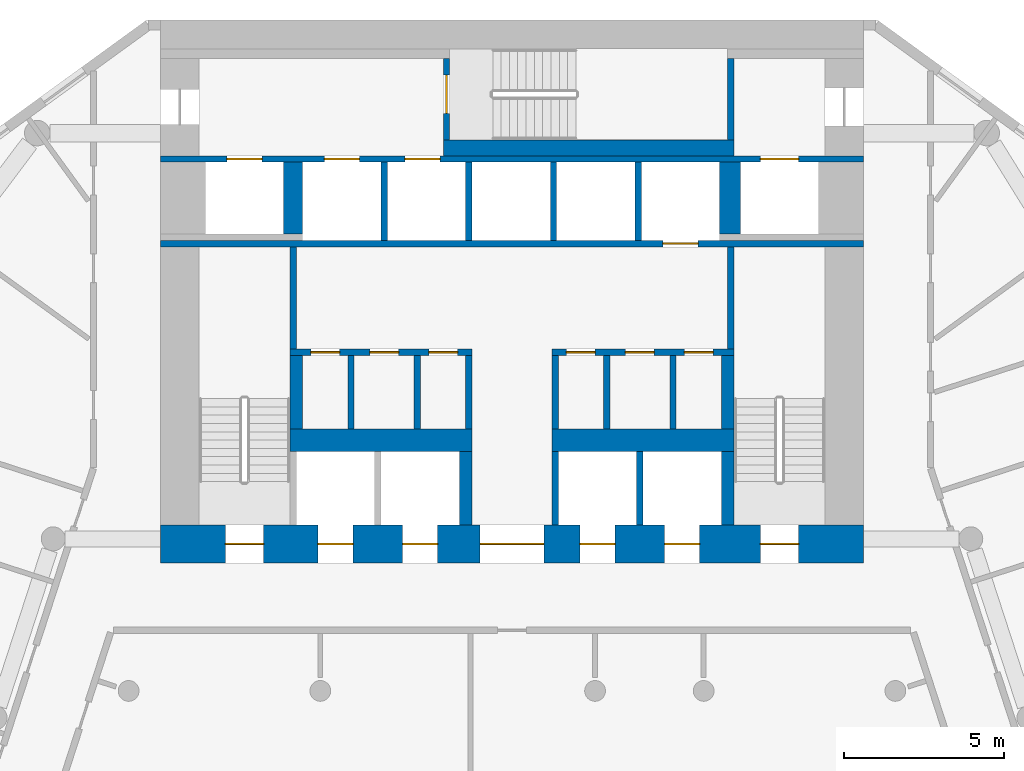
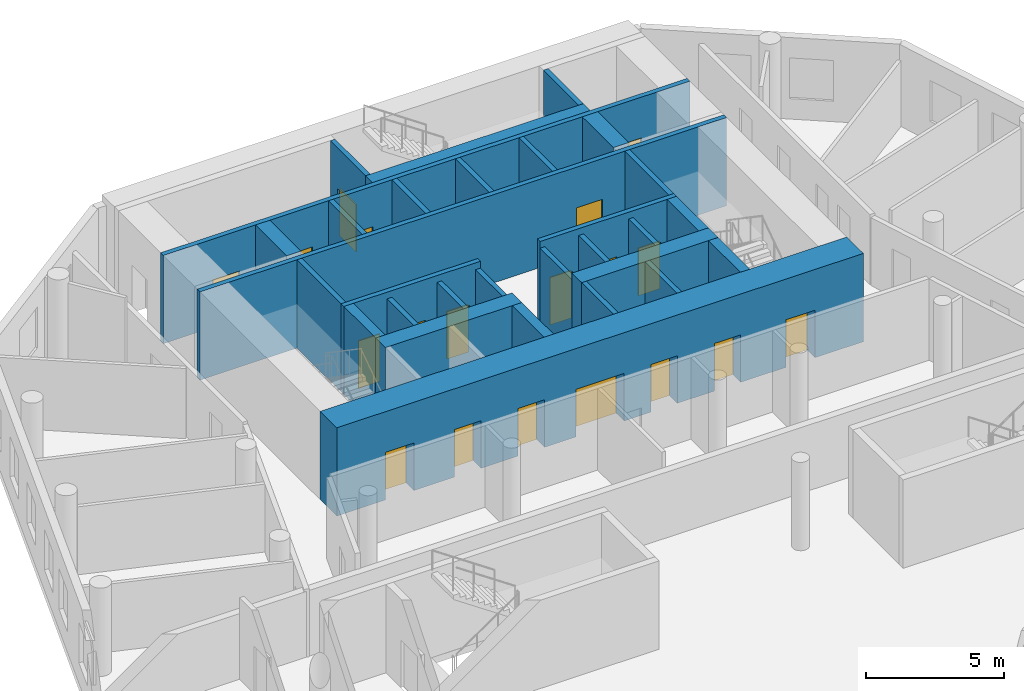
# One storey, part 5 of 9: 30 walls, 19 doors, 19 openings.
"""IFC4 building model written with IfcOpenShell, lengths in metres."""

from ifc_helpers import new_model, si_unit, direction, frame, frame_2d, origin, place, context, subcontext, project, spatial, rectangle, extrude, material, layer, layer_set, type_object, element, fill, save


model = new_model("IFC4")

# Units and contexts
model_context = context("Model", 3, precision=1e-05, world=origin(), true_north=direction((0.0, 1.0)))
body_context = subcontext(model_context, "Body", "Model", "MODEL_VIEW")
ifc_project = project(units=[si_unit("LENGTHUNIT", "METRE"), si_unit("AREAUNIT", "SQUARE_METRE"), si_unit("VOLUMEUNIT", "CUBIC_METRE"), si_unit("PLANEANGLEUNIT", "RADIAN"), si_unit("MASSUNIT", "GRAM", prefix="KILO")], contexts=[model_context])

# Site, building, storey
site_placement = place(None, origin())
site = spatial("IfcSite", under=ifc_project, at=site_placement, CompositionType="ELEMENT")
building_placement = place(site_placement, origin())
building = spatial("IfcBuilding", under=site, at=building_placement, Name="White Candle Pilgrim Tower", CompositionType="ELEMENT")
storey_placement = place(building_placement, frame((0.0, 0.0, 62.39990234375)))
storey = spatial("IfcBuildingStorey", under=building, at=storey_placement, Name="L12", CompositionType="ELEMENT", Elevation=62.39990234375)

# Wall, openings, doors
ifc_material_1 = material(Name="Concrete C70/85", Category="concrete")
ifc_layer_1 = layer(ifc_material_1, 0.199951171875)
ifc_layer_set_1 = layer_set([ifc_layer_1], Name="Core wall 200 mm Concrete C70/85")
wall_type_1 = type_object("IfcWallType", Name="Core wall 200 mm Concrete C70/85", PredefinedType="SHEAR", material=ifc_layer_set_1)
wall_1_placement = place(storey_placement, frame((59.0, 83.64990234375, 0.0), z_axis=(0.0, 0.0, 1.0), x_axis=(1.0, 0.0, 0.0)))
wall_1 = element("IfcWall", 1, at=wall_1_placement, inside=storey, type_object=wall_type_1, Name="WL-L12-C45", PredefinedType="SHEAR", context=body_context, shape_type="SweptSolid", body=[
    extrude(rectangle(XDim=22.0, YDim=0.199951171875, at=frame_2d((11.0, 0.0))), origin(), (0.0, 0.0, 1.0), 3.900146484375),
])
opening_1_placement = place(wall_1_placement, frame((5.125, 0.0, 0.0)))
opening_1 = element("IfcOpeningElement", 2, at=opening_1_placement, cuts=wall_1, Name="Opening T03-011", PredefinedType="OPENING", context=body_context, shape_type="SweptSolid", body=[
    extrude(rectangle(XDim=1.10009765625, YDim=2.10009765625, at=frame_2d((0.550048828125, 1.050048828125))), frame((0.0, 0.10986328125, 0.0), z_axis=(0.0, -1.0, 0.0), x_axis=(1.0, 0.0, 0.0)), (0.0, 0.0, 1.0), 0.219970703125),
])
opening_2_placement = place(wall_1_placement, frame((7.64990234375, 0.0, 0.0)))
opening_2 = element("IfcOpeningElement", 3, at=opening_2_placement, cuts=wall_1, Name="Opening T03-012", PredefinedType="OPENING", context=body_context, shape_type="SweptSolid", body=[
    extrude(rectangle(XDim=1.10009765625, YDim=2.10009765625, at=frame_2d((0.550048828125, 1.050048828125))), frame((0.0, 0.10986328125, 0.0), z_axis=(0.0, -1.0, 0.0), x_axis=(1.0, 0.0, 0.0)), (0.0, 0.0, 1.0), 0.219970703125),
])
opening_3_placement = place(wall_1_placement, frame((18.77490234375, 0.0, 0.0)))
opening_3 = element("IfcOpeningElement", 4, at=opening_3_placement, cuts=wall_1, Name="Opening T03-018", PredefinedType="OPENING", context=body_context, shape_type="SweptSolid", body=[
    extrude(rectangle(XDim=1.199951171875, YDim=2.10009765625, at=frame_2d((0.60009765625, 1.050048828125))), frame((0.0, 0.10986328125, 0.0), z_axis=(0.0, -1.0, 0.0), x_axis=(1.0, 0.0, 0.0)), (0.0, 0.0, 1.0), 0.219970703125),
])
opening_4_placement = place(wall_1_placement, frame((2.074951171875, 0.0, 0.0)))
opening_4 = element("IfcOpeningElement", 5, at=opening_4_placement, cuts=wall_1, Name="Opening T03-019", PredefinedType="OPENING", context=body_context, shape_type="SweptSolid", body=[
    extrude(rectangle(XDim=1.10009765625, YDim=2.10009765625, at=frame_2d((0.550048828125, 1.050048828125))), frame((0.0, 0.10986328125, 0.0), z_axis=(0.0, -1.0, 0.0), x_axis=(1.0, 0.0, 0.0)), (0.0, 0.0, 1.0), 0.219970703125),
])
ifc_material_2 = material(Name="Stainless steel", Category="steel")
door_type_1 = type_object("IfcDoorType", Name="Lift landing door 1100 x 2100 EI 60", OperationType="DOUBLE_DOOR_SLIDING", PredefinedType="DOOR", material=ifc_material_2)
door_1_placement = place(opening_1_placement, origin())
door_1 = element("IfcDoor", 6, at=door_1_placement, inside=storey, type_object=door_type_1, Name="Door T03-011", OperationType="DOUBLE_DOOR_SLIDING", OverallHeight=2.10009765625, OverallWidth=1.10009765625, PredefinedType="DOOR", context=body_context, shape_type="SweptSolid", body=[
    extrude(rectangle(XDim=1.10009765625, YDim=2.10009765625, at=frame_2d((0.550048828125, 1.050048828125))), frame((0.0, 0.02490234375, 0.0), z_axis=(0.0, -1.0, 0.0), x_axis=(1.0, 0.0, 0.0)), (0.0, 0.0, 1.0), 0.050048828125),
])
fill(opening_1, door_1)
door_2_placement = place(opening_2_placement, origin())
door_2 = element("IfcDoor", 7, at=door_2_placement, inside=storey, type_object=door_type_1, Name="Door T03-012", OperationType="DOUBLE_DOOR_SLIDING", OverallHeight=2.10009765625, OverallWidth=1.10009765625, PredefinedType="DOOR", context=body_context, shape_type="SweptSolid", body=[
    extrude(rectangle(XDim=1.10009765625, YDim=2.10009765625, at=frame_2d((0.550048828125, 1.050048828125))), frame((0.0, 0.02490234375, 0.0), z_axis=(0.0, -1.0, 0.0), x_axis=(1.0, 0.0, 0.0)), (0.0, 0.0, 1.0), 0.050048828125),
])
fill(opening_2, door_2)
door_3_placement = place(opening_4_placement, origin())
door_3 = element("IfcDoor", 8, at=door_3_placement, inside=storey, type_object=door_type_1, Name="Door T03-019", OperationType="DOUBLE_DOOR_SLIDING", OverallHeight=2.10009765625, OverallWidth=1.10009765625, PredefinedType="DOOR", context=body_context, shape_type="SweptSolid", body=[
    extrude(rectangle(XDim=1.10009765625, YDim=2.10009765625, at=frame_2d((0.550048828125, 1.050048828125))), frame((0.0, 0.02490234375, 0.0), z_axis=(0.0, -1.0, 0.0), x_axis=(1.0, 0.0, 0.0)), (0.0, 0.0, 1.0), 0.050048828125),
])
fill(opening_4, door_3)
door_type_2 = type_object("IfcDoorType", Name="Lift landing door 1200 x 2100 E 60", OperationType="DOUBLE_DOOR_SLIDING", PredefinedType="DOOR", material=ifc_material_2)
door_4_placement = place(opening_3_placement, origin())
door_4 = element("IfcDoor", 9, at=door_4_placement, inside=storey, type_object=door_type_2, Name="Door T03-018", OperationType="DOUBLE_DOOR_SLIDING", OverallHeight=2.10009765625, OverallWidth=1.199951171875, PredefinedType="DOOR", context=body_context, shape_type="SweptSolid", body=[
    extrude(rectangle(XDim=1.199951171875, YDim=2.10009765625, at=frame_2d((0.60009765625, 1.050048828125))), frame((0.0, 0.02490234375, 0.0), z_axis=(0.0, -1.0, 0.0), x_axis=(1.0, 0.0, 0.0)), (0.0, 0.0, 1.0), 0.050048828125),
])
fill(opening_3, door_4)

# Walls
ifc_material_3 = material(Name="Gypsum board on steel studs", Category="steel")
ifc_layer_2 = layer(ifc_material_3, 0.199951171875)
ifc_layer_set_2 = layer_set([ifc_layer_2], Name="Lobby wall 200 mm EI 60")
wall_type_2 = type_object("IfcWallType", Name="Lobby wall 200 mm EI 60", PredefinedType="PARTITIONING", material=ifc_layer_set_2)
for number, where, z_axis, x_axis, name in (
    (10, (64.9599609375, 75.199951171875, 0.0), (0.0, 0.0, 1.0), (0.0, 1.0, 0.0), "WL-L12-C23"),
    (11, (67.0400390625, 75.199951171875, 0.0), (0.0, 0.0, 1.0), (0.0, 1.0, 0.0), "WL-L12-C24"),
    (12, (68.64990234375, 75.199951171875, 0.0), (0.0, 0.0, 1.0), (0.0, 1.0, 0.0), "WL-L12-C25"),
    (13, (71.35009765625, 75.199951171875, 0.0), (0.0, 0.0, 1.0), (0.0, 1.0, 0.0), "WL-L12-C26"),
    (14, (72.9599609375, 75.199951171875, 0.0), (0.0, 0.0, 1.0), (0.0, 1.0, 0.0), "WL-L12-C27"),
    (15, (75.0400390625, 75.199951171875, 0.0), (0.0, 0.0, 1.0), (0.0, 1.0, 0.0), "WL-L12-C28"),
):
    element("IfcWall", number, at=place(storey_placement, frame(where, z_axis=z_axis, x_axis=x_axis)), inside=storey, type_object=wall_type_2, Name=name, PredefinedType="PARTITIONING", context=body_context, shape_type="SweptSolid", body=[
        extrude(rectangle(XDim=2.300048828125, YDim=0.199951171875, at=frame_2d((1.14990234375, 0.0))), origin(), (0.0, 0.0, 1.0), 3.60009765625),
    ])
ifc_layer_3 = layer(ifc_material_1, 0.199951171875)
ifc_layer_set_3 = layer_set([ifc_layer_3], Name="Shaft wall 200 mm Concrete C70/85")
wall_type_3 = type_object("IfcWallType", Name="Shaft wall 200 mm Concrete C70/85", PredefinedType="SHEAR", material=ifc_layer_set_3)
for number, where, z_axis, x_axis, name in (
    (16, (71.35009765625, 72.199951171875, 0.0), (0.0, 0.0, 1.0), (0.0, 1.0, 0.0), "WL-L12-C16"),
    (17, (74.0, 72.199951171875, 0.0), (0.0, 0.0, 1.0), (0.0, 1.0, 0.0), "WL-L12-C17"),
):
    element("IfcWall", number, at=place(storey_placement, frame(where, z_axis=z_axis, x_axis=x_axis)), inside=storey, type_object=wall_type_3, Name=name, PredefinedType="SHEAR", context=body_context, shape_type="SweptSolid", body=[
        extrude(rectangle(XDim=2.300048828125, YDim=0.199951171875, at=frame_2d((1.14990234375, 0.0))), origin(), (0.0, 0.0, 1.0), 3.900146484375),
    ])
for number, where, z_axis, x_axis, name in (
    (18, (66.0, 81.10009765625, 0.0), (0.0, 0.0, 1.0), (0.0, 1.0, 0.0), "WL-L12-C36"),
    (19, (68.64990234375, 81.10009765625, 0.0), (0.0, 0.0, 1.0), (0.0, 1.0, 0.0), "WL-L12-C37"),
    (20, (71.300048828125, 81.10009765625, 0.0), (0.0, 0.0, 1.0), (0.0, 1.0, 0.0), "WL-L12-C38"),
    (21, (73.949951171875, 81.10009765625, 0.0), (0.0, 0.0, 1.0), (0.0, 1.0, 0.0), "WL-L12-C39"),
):
    element("IfcWall", number, at=place(storey_placement, frame(where, z_axis=z_axis, x_axis=x_axis)), inside=storey, type_object=wall_type_3, Name=name, PredefinedType="SHEAR", context=body_context, shape_type="SweptSolid", body=[
        extrude(rectangle(XDim=2.449951171875, YDim=0.199951171875, at=frame_2d((1.22509765625, 0.0))), origin(), (0.0, 0.0, 1.0), 3.900146484375),
    ])
ifc_layer_4 = layer(ifc_material_1, 0.39990234375)
ifc_layer_set_4 = layer_set([ifc_layer_4], Name="Shaft wall 400 mm Concrete C70/85")
wall_type_4 = type_object("IfcWallType", Name="Shaft wall 400 mm Concrete C70/85", PredefinedType="SHEAR", material=ifc_layer_set_4)
wall_2_placement = place(storey_placement, frame((68.550048828125, 72.199951171875, 0.0), z_axis=(0.0, 0.0, 1.0), x_axis=(0.0, 1.0, 0.0)))
element("IfcWall", 22, at=wall_2_placement, inside=storey, type_object=wall_type_4, Name="WL-L12-C15", PredefinedType="SHEAR", context=body_context, shape_type="SweptSolid", body=[
    extrude(rectangle(XDim=2.300048828125, YDim=0.39990234375, at=frame_2d((1.14990234375, 0.0))), origin(), (0.0, 0.0, 1.0), 3.900146484375),
])
ifc_layer_5 = layer(ifc_material_1, 0.60009765625)
ifc_layer_set_5 = layer_set([ifc_layer_5], Name="Shaft wall 600 mm Concrete C70/85")
wall_type_5 = type_object("IfcWallType", Name="Shaft wall 600 mm Concrete C70/85", PredefinedType="SHEAR", material=ifc_layer_set_5)
wall_3_placement = place(storey_placement, frame((63.14990234375, 81.300048828125, 0.0), z_axis=(0.0, 0.0, 1.0), x_axis=(0.0, 1.0, 0.0)))
element("IfcWall", 23, at=wall_3_placement, inside=storey, type_object=wall_type_5, Name="WL-L12-C42", PredefinedType="SHEAR", context=body_context, shape_type="SweptSolid", body=[
    extrude(rectangle(XDim=2.25, YDim=0.60009765625, at=frame_2d((1.125, 0.0))), origin(), (0.0, 0.0, 1.0), 3.900146484375),
])
ifc_layer_6 = layer(ifc_material_1, 0.64990234375)
ifc_layer_set_6 = layer_set([ifc_layer_6], Name="Shaft wall 650 mm Concrete C70/85")
wall_type_6 = type_object("IfcWallType", Name="Shaft wall 650 mm Concrete C70/85", PredefinedType="SHEAR", material=ifc_layer_set_6)
wall_4_placement = place(storey_placement, frame((76.824951171875, 81.300048828125, 0.0), z_axis=(0.0, 0.0, 1.0), x_axis=(0.0, 1.0, 0.0)))
element("IfcWall", 24, at=wall_4_placement, inside=storey, type_object=wall_type_6, Name="WL-L12-C43", PredefinedType="SHEAR", context=body_context, shape_type="SweptSolid", body=[
    extrude(rectangle(XDim=2.25, YDim=0.64990234375, at=frame_2d((1.125, 0.0))), origin(), (0.0, 0.0, 1.0), 3.900146484375),
])

# Wall, openings, doors
ifc_layer_7 = layer(ifc_material_1, 1.199951171875)
ifc_layer_set_7 = layer_set([ifc_layer_7], Name="Stair shaft wall 1200 mm Concrete C70/85")
wall_type_7 = type_object("IfcWallType", Name="Stair shaft wall 1200 mm Concrete C70/85", PredefinedType="SHEAR", material=ifc_layer_set_7)
wall_5_placement = place(storey_placement, frame((59.0, 71.60009765625, 0.0), z_axis=(0.0, 0.0, 1.0), x_axis=(1.0, 0.0, 0.0)))
wall_5 = element("IfcWall", 25, at=wall_5_placement, inside=storey, type_object=wall_type_7, Name="WL-L12-C11", PredefinedType="SHEAR", context=body_context, shape_type="SweptSolid", body=[
    extrude(rectangle(XDim=22.0, YDim=1.199951171875, at=frame_2d((11.0, 0.0))), origin(), (0.0, 0.0, 1.0), 3.900146484375),
])
opening_5_placement = place(wall_5_placement, frame((2.02490234375, 0.0, 0.0)))
opening_5 = element("IfcOpeningElement", 26, at=opening_5_placement, cuts=wall_5, Name="Opening T03-001", PredefinedType="OPENING", context=body_context, shape_type="SweptSolid", body=[
    extrude(rectangle(XDim=1.199951171875, YDim=2.10009765625, at=frame_2d((0.60009765625, 1.050048828125))), frame((0.0, 0.60986328125, 0.0), z_axis=(0.0, -1.0, 0.0), x_axis=(1.0, 0.0, 0.0)), (0.0, 0.0, 1.0), 1.219970703125),
])
opening_6_placement = place(wall_5_placement, frame((18.77490234375, 0.0, 0.0)))
opening_6 = element("IfcOpeningElement", 27, at=opening_6_placement, cuts=wall_5, Name="Opening T03-002", PredefinedType="OPENING", context=body_context, shape_type="SweptSolid", body=[
    extrude(rectangle(XDim=1.199951171875, YDim=2.10009765625, at=frame_2d((0.60009765625, 1.050048828125))), frame((0.0, 0.60986328125, 0.0), z_axis=(0.0, -1.0, 0.0), x_axis=(1.0, 0.0, 0.0)), (0.0, 0.0, 1.0), 1.219970703125),
])
opening_7_placement = place(wall_5_placement, frame((10.0, 0.0, 0.0)))
opening_7 = element("IfcOpeningElement", 28, at=opening_7_placement, cuts=wall_5, Name="Opening T03-004", PredefinedType="OPENING", context=body_context, shape_type="SweptSolid", body=[
    extrude(rectangle(XDim=2.0, YDim=2.10009765625, at=frame_2d((1.0, 1.050048828125))), frame((0.0, 0.60986328125, 0.0), z_axis=(0.0, -1.0, 0.0), x_axis=(1.0, 0.0, 0.0)), (0.0, 0.0, 1.0), 1.219970703125),
])
opening_8_placement = place(wall_5_placement, frame((4.925048828125, 0.0, 0.0)))
opening_8 = element("IfcOpeningElement", 29, at=opening_8_placement, cuts=wall_5, Name="Opening T03-014", PredefinedType="OPENING", context=body_context, shape_type="SweptSolid", body=[
    extrude(rectangle(XDim=1.10009765625, YDim=2.10009765625, at=frame_2d((0.550048828125, 1.050048828125))), frame((0.0, 0.60986328125, 0.0), z_axis=(0.0, -1.0, 0.0), x_axis=(1.0, 0.0, 0.0)), (0.0, 0.0, 1.0), 1.219970703125),
])
opening_9_placement = place(wall_5_placement, frame((7.574951171875, 0.0, 0.0)))
opening_9 = element("IfcOpeningElement", 30, at=opening_9_placement, cuts=wall_5, Name="Opening T03-015", PredefinedType="OPENING", context=body_context, shape_type="SweptSolid", body=[
    extrude(rectangle(XDim=1.10009765625, YDim=2.10009765625, at=frame_2d((0.550048828125, 1.050048828125))), frame((0.0, 0.60986328125, 0.0), z_axis=(0.0, -1.0, 0.0), x_axis=(1.0, 0.0, 0.0)), (0.0, 0.0, 1.0), 1.219970703125),
])
opening_10_placement = place(wall_5_placement, frame((13.125, 0.0, 0.0)))
opening_10 = element("IfcOpeningElement", 31, at=opening_10_placement, cuts=wall_5, Name="Opening T03-016", PredefinedType="OPENING", context=body_context, shape_type="SweptSolid", body=[
    extrude(rectangle(XDim=1.10009765625, YDim=2.10009765625, at=frame_2d((0.550048828125, 1.050048828125))), frame((0.0, 0.60986328125, 0.0), z_axis=(0.0, -1.0, 0.0), x_axis=(1.0, 0.0, 0.0)), (0.0, 0.0, 1.0), 1.219970703125),
])
opening_11_placement = place(wall_5_placement, frame((15.77490234375, 0.0, 0.0)))
opening_11 = element("IfcOpeningElement", 32, at=opening_11_placement, cuts=wall_5, Name="Opening T03-017", PredefinedType="OPENING", context=body_context, shape_type="SweptSolid", body=[
    extrude(rectangle(XDim=1.10009765625, YDim=2.10009765625, at=frame_2d((0.550048828125, 1.050048828125))), frame((0.0, 0.60986328125, 0.0), z_axis=(0.0, -1.0, 0.0), x_axis=(1.0, 0.0, 0.0)), (0.0, 0.0, 1.0), 1.219970703125),
])
ifc_material_4 = material(Name="Steel door leaf", Category="steel")
door_type_3 = type_object("IfcDoorType", Name="Fire door 1200 x 2100 EI 60", OperationType="NOTDEFINED", PredefinedType="DOOR", material=ifc_material_4)
door_5_placement = place(opening_5_placement, frame((1.199951171875, 0.0, 0.0), z_axis=(0.0, 0.0, 1.0), x_axis=(-1.0, 0.0, 0.0)))
door_5 = element("IfcDoor", 33, at=door_5_placement, inside=storey, type_object=door_type_3, Name="Door T03-001", OperationType="SINGLE_SWING_RIGHT", OverallHeight=2.10009765625, OverallWidth=1.199951171875, PredefinedType="DOOR", context=body_context, shape_type="SweptSolid", body=[
    extrude(rectangle(XDim=1.199951171875, YDim=2.10009765625, at=frame_2d((0.60009765625, 1.050048828125))), frame((0.0, 0.02490234375, 0.0), z_axis=(0.0, -1.0, 0.0), x_axis=(1.0, 0.0, 0.0)), (0.0, 0.0, 1.0), 0.050048828125),
])
fill(opening_5, door_5)
door_6_placement = place(opening_6_placement, frame((1.199951171875, 0.0, 0.0), z_axis=(0.0, 0.0, 1.0), x_axis=(-1.0, 0.0, 0.0)))
door_6 = element("IfcDoor", 34, at=door_6_placement, inside=storey, type_object=door_type_3, Name="Door T03-002", OperationType="SINGLE_SWING_LEFT", OverallHeight=2.10009765625, OverallWidth=1.199951171875, PredefinedType="DOOR", context=body_context, shape_type="SweptSolid", body=[
    extrude(rectangle(XDim=1.199951171875, YDim=2.10009765625, at=frame_2d((0.60009765625, 1.050048828125))), frame((0.0, 0.02490234375, 0.0), z_axis=(0.0, -1.0, 0.0), x_axis=(1.0, 0.0, 0.0)), (0.0, 0.0, 1.0), 0.050048828125),
])
fill(opening_6, door_6)
door_type_4 = type_object("IfcDoorType", Name="Fire door 2000 x 2100 EI 60", OperationType="NOTDEFINED", PredefinedType="DOOR", material=ifc_material_4)
door_7_placement = place(opening_7_placement, frame((2.0, 0.0, 0.0), z_axis=(0.0, 0.0, 1.0), x_axis=(-1.0, 0.0, 0.0)))
door_7 = element("IfcDoor", 35, at=door_7_placement, inside=storey, type_object=door_type_4, Name="Door T03-004", OperationType="DOUBLE_DOOR_SINGLE_SWING", OverallHeight=2.10009765625, OverallWidth=2.0, PredefinedType="DOOR", context=body_context, shape_type="SweptSolid", body=[
    extrude(rectangle(XDim=2.0, YDim=2.10009765625, at=frame_2d((1.0, 1.050048828125))), frame((0.0, 0.02490234375, 0.0), z_axis=(0.0, -1.0, 0.0), x_axis=(1.0, 0.0, 0.0)), (0.0, 0.0, 1.0), 0.050048828125),
])
fill(opening_7, door_7)
door_type_5 = type_object("IfcDoorType", Name="Lift landing door 1100 x 2100 E 60", OperationType="DOUBLE_DOOR_SLIDING", PredefinedType="DOOR", material=ifc_material_2)
door_8_placement = place(opening_8_placement, origin())
door_8 = element("IfcDoor", 36, at=door_8_placement, inside=storey, type_object=door_type_5, Name="Door T03-014", OperationType="DOUBLE_DOOR_SLIDING", OverallHeight=2.10009765625, OverallWidth=1.10009765625, PredefinedType="DOOR", context=body_context, shape_type="SweptSolid", body=[
    extrude(rectangle(XDim=1.10009765625, YDim=2.10009765625, at=frame_2d((0.550048828125, 1.050048828125))), frame((0.0, 0.02490234375, 0.0), z_axis=(0.0, -1.0, 0.0), x_axis=(1.0, 0.0, 0.0)), (0.0, 0.0, 1.0), 0.050048828125),
])
fill(opening_8, door_8)
door_9_placement = place(opening_9_placement, origin())
door_9 = element("IfcDoor", 37, at=door_9_placement, inside=storey, type_object=door_type_5, Name="Door T03-015", OperationType="DOUBLE_DOOR_SLIDING", OverallHeight=2.10009765625, OverallWidth=1.10009765625, PredefinedType="DOOR", context=body_context, shape_type="SweptSolid", body=[
    extrude(rectangle(XDim=1.10009765625, YDim=2.10009765625, at=frame_2d((0.550048828125, 1.050048828125))), frame((0.0, 0.02490234375, 0.0), z_axis=(0.0, -1.0, 0.0), x_axis=(1.0, 0.0, 0.0)), (0.0, 0.0, 1.0), 0.050048828125),
])
fill(opening_9, door_9)
door_10_placement = place(opening_10_placement, origin())
door_10 = element("IfcDoor", 38, at=door_10_placement, inside=storey, type_object=door_type_5, Name="Door T03-016", OperationType="DOUBLE_DOOR_SLIDING", OverallHeight=2.10009765625, OverallWidth=1.10009765625, PredefinedType="DOOR", context=body_context, shape_type="SweptSolid", body=[
    extrude(rectangle(XDim=1.10009765625, YDim=2.10009765625, at=frame_2d((0.550048828125, 1.050048828125))), frame((0.0, 0.02490234375, 0.0), z_axis=(0.0, -1.0, 0.0), x_axis=(1.0, 0.0, 0.0)), (0.0, 0.0, 1.0), 0.050048828125),
])
fill(opening_10, door_10)
door_11_placement = place(opening_11_placement, origin())
door_11 = element("IfcDoor", 39, at=door_11_placement, inside=storey, type_object=door_type_5, Name="Door T03-017", OperationType="DOUBLE_DOOR_SLIDING", OverallHeight=2.10009765625, OverallWidth=1.10009765625, PredefinedType="DOOR", context=body_context, shape_type="SweptSolid", body=[
    extrude(rectangle(XDim=1.10009765625, YDim=2.10009765625, at=frame_2d((0.550048828125, 1.050048828125))), frame((0.0, 0.02490234375, 0.0), z_axis=(0.0, -1.0, 0.0), x_axis=(1.0, 0.0, 0.0)), (0.0, 0.0, 1.0), 0.050048828125),
])
fill(opening_11, door_11)

ifc_layer_8 = layer(ifc_material_1, 0.199951171875)
ifc_layer_set_8 = layer_set([ifc_layer_8], Name="Stair shaft wall 200 mm Concrete C70/85")
wall_type_8 = type_object("IfcWallType", Name="Stair shaft wall 200 mm Concrete C70/85", PredefinedType="SHEAR", material=ifc_layer_set_8)
wall_6_placement = place(storey_placement, frame((63.050048828125, 77.60009765625, 0.0), z_axis=(0.0, 0.0, 1.0), x_axis=(1.0, 0.0, 0.0)))
wall_6 = element("IfcWall", 40, at=wall_6_placement, inside=storey, type_object=wall_type_8, Name="WL-L12-C30", PredefinedType="SHEAR", context=body_context, shape_type="SweptSolid", body=[
    extrude(rectangle(XDim=5.699951171875, YDim=0.199951171875, at=frame_2d((2.85009765625, 0.0))), origin(), (0.0, 0.0, 1.0), 3.900146484375),
])
opening_12_placement = place(wall_6_placement, frame((0.655029296875, 0.0, 0.0)))
opening_12 = element("IfcOpeningElement", 41, at=opening_12_placement, cuts=wall_6, Name="Opening T03-020", PredefinedType="OPENING", context=body_context, shape_type="SweptSolid", body=[
    extrude(rectangle(XDim=0.89990234375, YDim=2.10009765625, at=frame_2d((0.449951171875, 1.050048828125))), frame((0.0, 0.10986328125, 0.0), z_axis=(0.0, -1.0, 0.0), x_axis=(1.0, 0.0, 0.0)), (0.0, 0.0, 1.0), 0.219970703125),
])
opening_13_placement = place(wall_6_placement, frame((2.5, 0.0, 0.0)))
opening_13 = element("IfcOpeningElement", 42, at=opening_13_placement, cuts=wall_6, Name="Opening T03-021", PredefinedType="OPENING", context=body_context, shape_type="SweptSolid", body=[
    extrude(rectangle(XDim=0.89990234375, YDim=2.10009765625, at=frame_2d((0.449951171875, 1.050048828125))), frame((0.0, 0.10986328125, 0.0), z_axis=(0.0, -1.0, 0.0), x_axis=(1.0, 0.0, 0.0)), (0.0, 0.0, 1.0), 0.219970703125),
])
opening_14_placement = place(wall_6_placement, frame((4.344970703125, 0.0, 0.0)))
opening_14 = element("IfcOpeningElement", 43, at=opening_14_placement, cuts=wall_6, Name="Opening T03-022", PredefinedType="OPENING", context=body_context, shape_type="SweptSolid", body=[
    extrude(rectangle(XDim=0.89990234375, YDim=2.10009765625, at=frame_2d((0.449951171875, 1.050048828125))), frame((0.0, 0.10986328125, 0.0), z_axis=(0.0, -1.0, 0.0), x_axis=(1.0, 0.0, 0.0)), (0.0, 0.0, 1.0), 0.219970703125),
])
door_type_6 = type_object("IfcDoorType", Name="Fire door 900 x 2100 EI 30", OperationType="NOTDEFINED", PredefinedType="DOOR", material=ifc_material_4)
door_12_placement = place(opening_12_placement, origin())
door_12 = element("IfcDoor", 44, at=door_12_placement, inside=storey, type_object=door_type_6, Name="Door T03-020", OperationType="SINGLE_SWING_RIGHT", OverallHeight=2.10009765625, OverallWidth=0.89990234375, PredefinedType="DOOR", context=body_context, shape_type="SweptSolid", body=[
    extrude(rectangle(XDim=0.89990234375, YDim=2.10009765625, at=frame_2d((0.449951171875, 1.050048828125))), frame((0.0, 0.02490234375, 0.0), z_axis=(0.0, -1.0, 0.0), x_axis=(1.0, 0.0, 0.0)), (0.0, 0.0, 1.0), 0.050048828125),
])
fill(opening_12, door_12)
door_13_placement = place(opening_13_placement, origin())
door_13 = element("IfcDoor", 45, at=door_13_placement, inside=storey, type_object=door_type_6, Name="Door T03-021", OperationType="SINGLE_SWING_LEFT", OverallHeight=2.10009765625, OverallWidth=0.89990234375, PredefinedType="DOOR", context=body_context, shape_type="SweptSolid", body=[
    extrude(rectangle(XDim=0.89990234375, YDim=2.10009765625, at=frame_2d((0.449951171875, 1.050048828125))), frame((0.0, 0.02490234375, 0.0), z_axis=(0.0, -1.0, 0.0), x_axis=(1.0, 0.0, 0.0)), (0.0, 0.0, 1.0), 0.050048828125),
])
fill(opening_13, door_13)
door_14_placement = place(opening_14_placement, origin())
door_14 = element("IfcDoor", 46, at=door_14_placement, inside=storey, type_object=door_type_6, Name="Door T03-022", OperationType="SINGLE_SWING_RIGHT", OverallHeight=2.10009765625, OverallWidth=0.89990234375, PredefinedType="DOOR", context=body_context, shape_type="SweptSolid", body=[
    extrude(rectangle(XDim=0.89990234375, YDim=2.10009765625, at=frame_2d((0.449951171875, 1.050048828125))), frame((0.0, 0.02490234375, 0.0), z_axis=(0.0, -1.0, 0.0), x_axis=(1.0, 0.0, 0.0)), (0.0, 0.0, 1.0), 0.050048828125),
])
fill(opening_14, door_14)

wall_7_placement = place(storey_placement, frame((71.25, 77.60009765625, 0.0), z_axis=(0.0, 0.0, 1.0), x_axis=(1.0, 0.0, 0.0)))
wall_7 = element("IfcWall", 47, at=wall_7_placement, inside=storey, type_object=wall_type_8, Name="WL-L12-C31", PredefinedType="SHEAR", context=body_context, shape_type="SweptSolid", body=[
    extrude(rectangle(XDim=5.699951171875, YDim=0.199951171875, at=frame_2d((2.85009765625, 0.0))), origin(), (0.0, 0.0, 1.0), 3.900146484375),
])
opening_15_placement = place(wall_7_placement, frame((0.455078125, 0.0, 0.0)))
opening_15 = element("IfcOpeningElement", 48, at=opening_15_placement, cuts=wall_7, Name="Opening T03-023", PredefinedType="OPENING", context=body_context, shape_type="SweptSolid", body=[
    extrude(rectangle(XDim=0.89990234375, YDim=2.10009765625, at=frame_2d((0.449951171875, 1.050048828125))), frame((0.0, 0.10986328125, 0.0), z_axis=(0.0, -1.0, 0.0), x_axis=(1.0, 0.0, 0.0)), (0.0, 0.0, 1.0), 0.219970703125),
])
opening_16_placement = place(wall_7_placement, frame((2.300048828125, 0.0, 0.0)))
opening_16 = element("IfcOpeningElement", 49, at=opening_16_placement, cuts=wall_7, Name="Opening T03-024", PredefinedType="OPENING", context=body_context, shape_type="SweptSolid", body=[
    extrude(rectangle(XDim=0.89990234375, YDim=2.10009765625, at=frame_2d((0.449951171875, 1.050048828125))), frame((0.0, 0.10986328125, 0.0), z_axis=(0.0, -1.0, 0.0), x_axis=(1.0, 0.0, 0.0)), (0.0, 0.0, 1.0), 0.219970703125),
])
opening_17_placement = place(wall_7_placement, frame((4.14501953125, 0.0, 0.0)))
opening_17 = element("IfcOpeningElement", 50, at=opening_17_placement, cuts=wall_7, Name="Opening T03-025", PredefinedType="OPENING", context=body_context, shape_type="SweptSolid", body=[
    extrude(rectangle(XDim=0.89990234375, YDim=2.10009765625, at=frame_2d((0.449951171875, 1.050048828125))), frame((0.0, 0.10986328125, 0.0), z_axis=(0.0, -1.0, 0.0), x_axis=(1.0, 0.0, 0.0)), (0.0, 0.0, 1.0), 0.219970703125),
])
door_15_placement = place(opening_15_placement, origin())
door_15 = element("IfcDoor", 51, at=door_15_placement, inside=storey, type_object=door_type_6, Name="Door T03-023", OperationType="SINGLE_SWING_LEFT", OverallHeight=2.10009765625, OverallWidth=0.89990234375, PredefinedType="DOOR", context=body_context, shape_type="SweptSolid", body=[
    extrude(rectangle(XDim=0.89990234375, YDim=2.10009765625, at=frame_2d((0.449951171875, 1.050048828125))), frame((0.0, 0.02490234375, 0.0), z_axis=(0.0, -1.0, 0.0), x_axis=(1.0, 0.0, 0.0)), (0.0, 0.0, 1.0), 0.050048828125),
])
fill(opening_15, door_15)
door_16_placement = place(opening_16_placement, origin())
door_16 = element("IfcDoor", 52, at=door_16_placement, inside=storey, type_object=door_type_6, Name="Door T03-024", OperationType="SINGLE_SWING_RIGHT", OverallHeight=2.10009765625, OverallWidth=0.89990234375, PredefinedType="DOOR", context=body_context, shape_type="SweptSolid", body=[
    extrude(rectangle(XDim=0.89990234375, YDim=2.10009765625, at=frame_2d((0.449951171875, 1.050048828125))), frame((0.0, 0.02490234375, 0.0), z_axis=(0.0, -1.0, 0.0), x_axis=(1.0, 0.0, 0.0)), (0.0, 0.0, 1.0), 0.050048828125),
])
fill(opening_16, door_16)
door_17_placement = place(opening_17_placement, origin())
door_17 = element("IfcDoor", 53, at=door_17_placement, inside=storey, type_object=door_type_6, Name="Door T03-025", OperationType="SINGLE_SWING_LEFT", OverallHeight=2.10009765625, OverallWidth=0.89990234375, PredefinedType="DOOR", context=body_context, shape_type="SweptSolid", body=[
    extrude(rectangle(XDim=0.89990234375, YDim=2.10009765625, at=frame_2d((0.449951171875, 1.050048828125))), frame((0.0, 0.02490234375, 0.0), z_axis=(0.0, -1.0, 0.0), x_axis=(1.0, 0.0, 0.0)), (0.0, 0.0, 1.0), 0.050048828125),
])
fill(opening_17, door_17)

# Walls
for number, where, z_axis, x_axis, name in (
    (54, (63.14990234375, 77.699951171875, 0.0), (0.0, 0.0, 1.0), (0.0, 1.0, 0.0), "WL-L12-C32"),
    (55, (76.85009765625, 77.699951171875, 0.0), (0.0, 0.0, 1.0), (0.0, 1.0, 0.0), "WL-L12-C33"),
):
    element("IfcWall", number, at=place(storey_placement, frame(where, z_axis=z_axis, x_axis=x_axis)), inside=storey, type_object=wall_type_8, Name=name, PredefinedType="SHEAR", context=body_context, shape_type="SweptSolid", body=[
        extrude(rectangle(XDim=3.199951171875, YDim=0.199951171875, at=frame_2d((1.60009765625, 0.0))), origin(), (0.0, 0.0, 1.0), 3.900146484375),
    ])

# Wall, opening, door
wall_8_placement = place(storey_placement, frame((59.0, 81.0, 0.0), z_axis=(0.0, 0.0, 1.0), x_axis=(1.0, 0.0, 0.0)))
wall_8 = element("IfcWall", 56, at=wall_8_placement, inside=storey, type_object=wall_type_8, Name="WL-L12-C34", PredefinedType="SHEAR", context=body_context, shape_type="SweptSolid", body=[
    extrude(rectangle(XDim=22.0, YDim=0.199951171875, at=frame_2d((11.0, 0.0))), origin(), (0.0, 0.0, 1.0), 3.900146484375),
])
opening_18_placement = place(wall_8_placement, frame((15.72509765625, 0.0, 0.0)))
opening_18 = element("IfcOpeningElement", 57, at=opening_18_placement, cuts=wall_8, Name="Opening T03-013", PredefinedType="OPENING", context=body_context, shape_type="SweptSolid", body=[
    extrude(rectangle(XDim=1.10009765625, YDim=2.10009765625, at=frame_2d((0.550048828125, 1.050048828125))), frame((0.0, 0.10986328125, 0.0), z_axis=(0.0, -1.0, 0.0), x_axis=(1.0, 0.0, 0.0)), (0.0, 0.0, 1.0), 0.219970703125),
])
door_18_placement = place(opening_18_placement, origin())
door_18 = element("IfcDoor", 58, at=door_18_placement, inside=storey, type_object=door_type_5, Name="Door T03-013", OperationType="DOUBLE_DOOR_SLIDING", OverallHeight=2.10009765625, OverallWidth=1.10009765625, PredefinedType="DOOR", context=body_context, shape_type="SweptSolid", body=[
    extrude(rectangle(XDim=1.10009765625, YDim=2.10009765625, at=frame_2d((0.550048828125, 1.050048828125))), frame((0.0, 0.02490234375, 0.0), z_axis=(0.0, -1.0, 0.0), x_axis=(1.0, 0.0, 0.0)), (0.0, 0.0, 1.0), 0.050048828125),
])
fill(opening_18, door_18)

wall_9_placement = place(storey_placement, frame((67.949951171875, 84.25, 0.0), z_axis=(0.0, 0.0, 1.0), x_axis=(0.0, 1.0, 0.0)))
wall_9 = element("IfcWall", 59, at=wall_9_placement, inside=storey, type_object=wall_type_8, Name="WL-L12-C49", PredefinedType="SHEAR", context=body_context, shape_type="SweptSolid", body=[
    extrude(rectangle(XDim=2.550048828125, YDim=0.199951171875, at=frame_2d((1.27490234375, 0.0))), origin(), (0.0, 0.0, 1.0), 3.900146484375),
])
opening_19_placement = place(wall_9_placement, frame((0.824951171875, 0.0, 0.0)))
opening_19 = element("IfcOpeningElement", 60, at=opening_19_placement, cuts=wall_9, Name="Opening T03-003", PredefinedType="OPENING", context=body_context, shape_type="SweptSolid", body=[
    extrude(rectangle(XDim=1.199951171875, YDim=2.10009765625, at=frame_2d((0.60009765625, 1.050048828125))), frame((0.0, 0.10986328125, 0.0), z_axis=(0.0, -1.0, 0.0), x_axis=(1.0, 0.0, 0.0)), (0.0, 0.0, 1.0), 0.219970703125),
])
door_19_placement = place(opening_19_placement, frame((1.199951171875, 0.0, 0.0), z_axis=(0.0, 0.0, 1.0), x_axis=(-1.0, 0.0, 0.0)))
door_19 = element("IfcDoor", 61, at=door_19_placement, inside=storey, type_object=door_type_3, Name="Door T03-003", OperationType="SINGLE_SWING_RIGHT", OverallHeight=2.10009765625, OverallWidth=1.199951171875, PredefinedType="DOOR", context=body_context, shape_type="SweptSolid", body=[
    extrude(rectangle(XDim=1.199951171875, YDim=2.10009765625, at=frame_2d((0.60009765625, 1.050048828125))), frame((0.0, 0.02490234375, 0.0), z_axis=(0.0, -1.0, 0.0), x_axis=(1.0, 0.0, 0.0)), (0.0, 0.0, 1.0), 0.050048828125),
])
fill(opening_19, door_19)

# Walls
wall_10_placement = place(storey_placement, frame((76.85009765625, 84.25, 0.0), z_axis=(0.0, 0.0, 1.0), x_axis=(0.0, 1.0, 0.0)))
element("IfcWall", 62, at=wall_10_placement, inside=storey, type_object=wall_type_8, Name="WL-L12-C50", PredefinedType="SHEAR", context=body_context, shape_type="SweptSolid", body=[
    extrude(rectangle(XDim=2.550048828125, YDim=0.199951171875, at=frame_2d((1.27490234375, 0.0))), origin(), (0.0, 0.0, 1.0), 3.900146484375),
])
ifc_layer_9 = layer(ifc_material_1, 0.39990234375)
ifc_layer_set_9 = layer_set([ifc_layer_9], Name="Stair shaft wall 400 mm Concrete C70/85")
wall_type_9 = type_object("IfcWallType", Name="Stair shaft wall 400 mm Concrete C70/85", PredefinedType="SHEAR", material=ifc_layer_set_9)
for number, where, z_axis, x_axis, name in (
    (63, (76.75, 72.199951171875, 0.0), (0.0, 0.0, 1.0), (0.0, 1.0, 0.0), "WL-L12-C18"),
    (64, (63.25, 75.199951171875, 0.0), (0.0, 0.0, 1.0), (0.0, 1.0, 0.0), "WL-L12-C22"),
    (65, (76.75, 75.199951171875, 0.0), (0.0, 0.0, 1.0), (0.0, 1.0, 0.0), "WL-L12-C29"),
):
    element("IfcWall", number, at=place(storey_placement, frame(where, z_axis=z_axis, x_axis=x_axis)), inside=storey, type_object=wall_type_9, Name=name, PredefinedType="SHEAR", context=body_context, shape_type="SweptSolid", body=[
        extrude(rectangle(XDim=2.300048828125, YDim=0.39990234375, at=frame_2d((1.14990234375, 0.0))), origin(), (0.0, 0.0, 1.0), 3.900146484375),
    ])
ifc_layer_10 = layer(ifc_material_1, 0.5)
ifc_layer_set_10 = layer_set([ifc_layer_10], Name="Stair shaft wall 500 mm Concrete C70/85")
wall_type_10 = type_object("IfcWallType", Name="Stair shaft wall 500 mm Concrete C70/85", PredefinedType="SHEAR", material=ifc_layer_set_10)
wall_11_placement = place(storey_placement, frame((67.85009765625, 84.0, 0.0), z_axis=(0.0, 0.0, 1.0), x_axis=(1.0, 0.0, 0.0)))
element("IfcWall", 66, at=wall_11_placement, inside=storey, type_object=wall_type_10, Name="WL-L12-C47", PredefinedType="SHEAR", context=body_context, shape_type="SweptSolid", body=[
    extrude(rectangle(XDim=9.099853515625, YDim=0.5, at=frame_2d((4.5498046875, 0.0))), origin(), (0.0, 0.0, 1.0), 3.900146484375),
])
ifc_layer_11 = layer(ifc_material_1, 0.699951171875)
ifc_layer_set_11 = layer_set([ifc_layer_11], Name="Stair shaft wall 700 mm Concrete C70/85")
wall_type_11 = type_object("IfcWallType", Name="Stair shaft wall 700 mm Concrete C70/85", PredefinedType="SHEAR", material=ifc_layer_set_11)
for number, where, z_axis, x_axis, name in (
    (67, (63.050048828125, 74.85009765625, 0.0), (0.0, 0.0, 1.0), (1.0, 0.0, 0.0), "WL-L12-C20"),
    (68, (71.25, 74.85009765625, 0.0), (0.0, 0.0, 1.0), (1.0, 0.0, 0.0), "WL-L12-C21"),
):
    element("IfcWall", number, at=place(storey_placement, frame(where, z_axis=z_axis, x_axis=x_axis)), inside=storey, type_object=wall_type_11, Name=name, PredefinedType="SHEAR", context=body_context, shape_type="SweptSolid", body=[
        extrude(rectangle(XDim=5.699951171875, YDim=0.699951171875, at=frame_2d((2.85009765625, 0.0))), origin(), (0.0, 0.0, 1.0), 3.900146484375),
    ])

save(model, "model.ifc")
